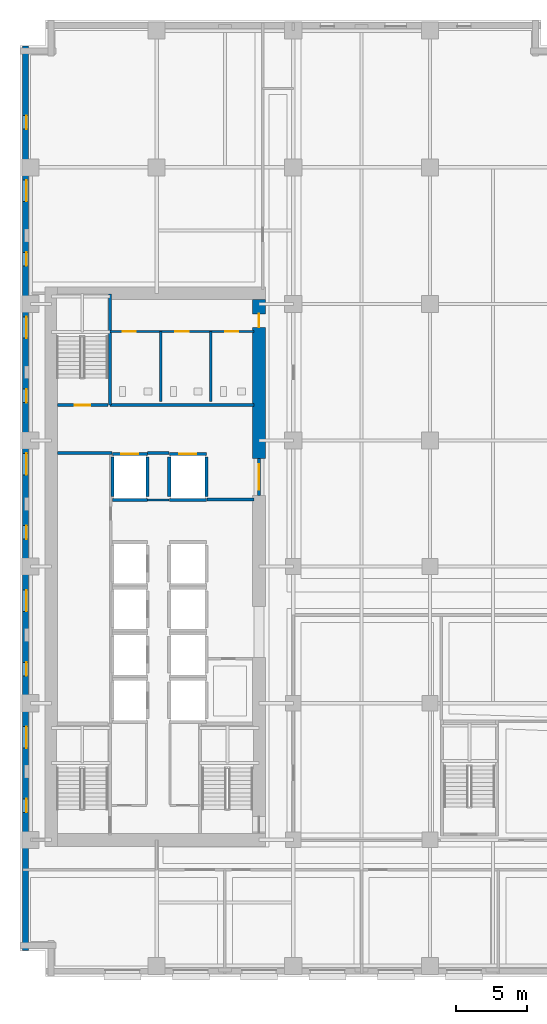
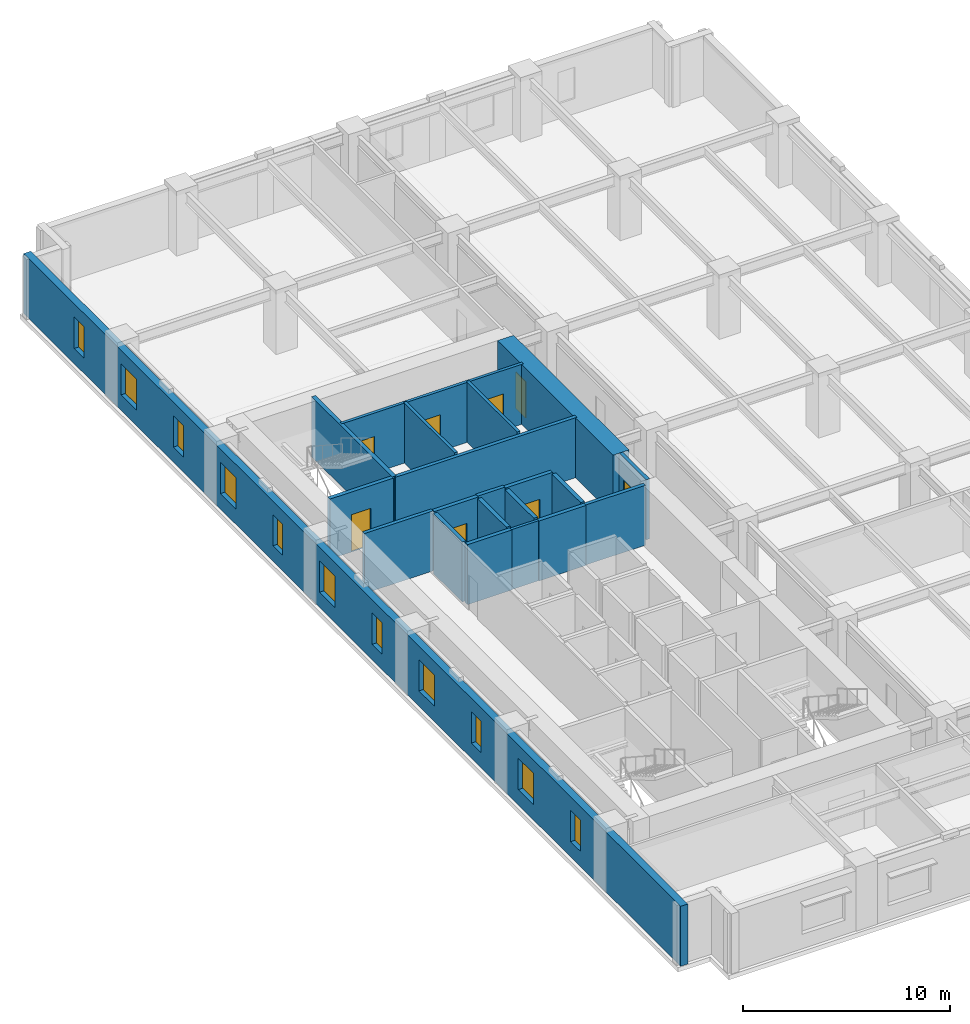
# One storey, part 6 of 14: 21 walls, 11 windows, 8 doors, 19 openings.
"""IFC4 building model written with IfcOpenShell, lengths in metres."""

from ifc_helpers import new_model, si_unit, direction, frame, frame_2d, origin, place, context, subcontext, project, spatial, rectangle, extrude, material, layer, layer_set, type_object, element, fill, save


model = new_model("IFC4")

# Units and contexts
model_context = context("Model", 3, precision=1e-05, world=origin(), true_north=direction((0.0, 1.0)))
body_context = subcontext(model_context, "Body", "Model", "MODEL_VIEW")
ifc_project = project(units=[si_unit("LENGTHUNIT", "METRE"), si_unit("AREAUNIT", "SQUARE_METRE"), si_unit("VOLUMEUNIT", "CUBIC_METRE"), si_unit("PLANEANGLEUNIT", "RADIAN"), si_unit("MASSUNIT", "GRAM", prefix="KILO")], contexts=[model_context])

# Site, building, storey
site_placement = place(None, origin())
site = spatial("IfcSite", under=ifc_project, at=site_placement, CompositionType="ELEMENT")
building_placement = place(site_placement, origin())
building = spatial("IfcBuilding", under=site, at=building_placement, Name="Norrvale University Quadrangle", CompositionType="ELEMENT")
storey_placement = place(building_placement, frame((0.0, 0.0, 28.0)))
storey = spatial("IfcBuildingStorey", under=building, at=storey_placement, Name="L06", CompositionType="ELEMENT", Elevation=28.0)

# Wall, opening, door
ifc_material_1 = material(Name="Concrete C80/95", Category="concrete")
ifc_layer_1 = layer(ifc_material_1, 0.89990234375, Name="Concrete C80/95")
ifc_layer_set_1 = layer_set([ifc_layer_1], Name="Concrete C80/95")
wall_type_1 = type_object("IfcWallType", Name="Wall Core 900", PredefinedType="SHEAR", material=ifc_layer_set_1)
wall_1_placement = place(storey_placement, frame((16.800048828125, 36.39990234375, 0.0), z_axis=(0.0, 0.0, 1.0), x_axis=(0.0, 1.0, 0.0)))
wall_1 = element("IfcWall", 1, at=wall_1_placement, inside=storey, type_object=wall_type_1, Name="Tower Core Shear Wall L06-E3", PredefinedType="SHEAR", context=body_context, shape_type="SweptSolid", body=[
    extrude(rectangle(XDim=11.150146484375, YDim=0.89990234375, at=frame_2d((5.5751953125, 0.0))), origin(), (0.0, 0.0, 1.0), 3.5400390625),
])
opening_1_placement = place(wall_1_placement, frame((9.199951171875, 0.0, 0.0)))
opening_1 = element("IfcOpeningElement", 2, at=opening_1_placement, cuts=wall_1, Name="Opening D07", PredefinedType="OPENING", context=body_context, shape_type="SweptSolid", body=[
    extrude(rectangle(XDim=0.949951171875, YDim=2.14990234375, at=frame_2d((0.47509765625, 1.074951171875))), frame((0.0, 0.4619140625, 0.0), z_axis=(0.0, -1.0, 0.0), x_axis=(1.0, 0.0, 0.0)), (0.0, 0.0, 1.0), 0.923828125),
])
ifc_material_2 = material(Name="Solid-Core Maple Door", Category="wood")
door_type_1 = type_object("IfcDoorType", Name="Door Office 950x2150", OperationType="NOTDEFINED", PredefinedType="DOOR", material=ifc_material_2)
door_1_placement = place(opening_1_placement, origin())
door_1 = element("IfcDoor", 3, at=door_1_placement, inside=storey, type_object=door_type_1, Name="Door Office 950x2150 DR-L06-NECORR", OperationType="SINGLE_SWING_LEFT", OverallHeight=2.14990234375, OverallWidth=0.949951171875, PredefinedType="DOOR", context=body_context, shape_type="SweptSolid", body=[
    extrude(rectangle(XDim=0.949951171875, YDim=2.14990234375, at=frame_2d((0.47509765625, 1.074951171875))), frame((0.0, 0.02490234375, 0.0), z_axis=(0.0, -1.0, 0.0), x_axis=(1.0, 0.0, 0.0)), (0.0, 0.0, 1.0), 0.050048828125),
])
fill(opening_1, door_1)

# Wall
ifc_material_3 = material(Name="Fire-Rated Gypsum Stud Partition")
ifc_layer_2 = layer(ifc_material_3, 0.14990234375, Name="Fire-Rated Gypsum Stud Partition")
ifc_layer_set_2 = layer_set([ifc_layer_2], Name="Fire-Rated Gypsum Stud Partition")
wall_type_2 = type_object("IfcWallType", Name="Wall Gypsum Corridor 150", PredefinedType="PARTITIONING", material=ifc_layer_set_2)
wall_2_placement = place(storey_placement, frame((8.965087890625, 33.489990234375, 0.0), z_axis=(0.0, 0.0, 1.0), x_axis=(1.0, 0.0, 0.0)))
element("IfcWall", 4, at=wall_2_placement, inside=storey, type_object=wall_type_2, Name="Interior Partition WL-L06-LL3", PredefinedType="PARTITIONING", context=body_context, shape_type="SweptSolid", body=[
    extrude(rectangle(XDim=1.52001953125, YDim=0.14990234375, at=frame_2d((0.760009765625, 0.0))), origin(), (0.0, 0.0, 1.0), 3.5400390625),
])

# Wall, openings, doors
ifc_material_4 = material(Name="Sanitary Chase Gypsum Partition")
ifc_layer_3 = layer(ifc_material_4, 0.1650390625, Name="Sanitary Chase Gypsum Partition")
ifc_layer_set_3 = layer_set([ifc_layer_3], Name="Sanitary Chase Gypsum Partition")
wall_type_3 = type_object("IfcWallType", Name="Wall Gypsum Sanitary 165", PredefinedType="PLUMBINGWALL", material=ifc_layer_set_3)
wall_3_placement = place(storey_placement, frame((6.320068359375, 45.320068359375, 0.0), z_axis=(0.0, 0.0, 1.0), x_axis=(1.0, 0.0, 0.0)))
wall_3 = element("IfcWall", 5, at=wall_3_placement, inside=storey, type_object=wall_type_3, Name="Interior Partition WL-L06-WCN", PredefinedType="PLUMBINGWALL", context=body_context, shape_type="SweptSolid", body=[
    extrude(rectangle(XDim=10.1298828125, YDim=0.1650390625, at=frame_2d((5.06494140625, 0.0))), origin(), (0.0, 0.0, 1.0), 3.5400390625),
])
opening_2_placement = place(wall_3_placement, frame((0.89990234375, 0.0, 0.0)))
opening_2 = element("IfcOpeningElement", 6, at=opening_2_placement, cuts=wall_3, Name="Opening D08", PredefinedType="OPENING", context=body_context, shape_type="SweptSolid", body=[
    extrude(rectangle(XDim=0.919921875, YDim=2.14990234375, at=frame_2d((0.4599609375, 1.074951171875))), frame((0.0, 0.094482421875, 0.0), z_axis=(0.0, -1.0, 0.0), x_axis=(1.0, 0.0, 0.0)), (0.0, 0.0, 1.0), 0.18896484375),
])
opening_3_placement = place(wall_3_placement, frame((4.60009765625, 0.0, 0.0)))
opening_3 = element("IfcOpeningElement", 7, at=opening_3_placement, cuts=wall_3, Name="Opening D08", PredefinedType="OPENING", context=body_context, shape_type="SweptSolid", body=[
    extrude(rectangle(XDim=0.919921875, YDim=2.14990234375, at=frame_2d((0.4599609375, 1.074951171875))), frame((0.0, 0.094482421875, 0.0), z_axis=(0.0, -1.0, 0.0), x_axis=(1.0, 0.0, 0.0)), (0.0, 0.0, 1.0), 0.18896484375),
])
opening_4_placement = place(wall_3_placement, frame((8.10009765625, 0.0, 0.0)))
opening_4 = element("IfcOpeningElement", 8, at=opening_4_placement, cuts=wall_3, Name="Opening D08", PredefinedType="OPENING", context=body_context, shape_type="SweptSolid", body=[
    extrude(rectangle(XDim=0.919921875, YDim=2.14990234375, at=frame_2d((0.4599609375, 1.074951171875))), frame((0.0, 0.094482421875, 0.0), z_axis=(0.0, -1.0, 0.0), x_axis=(1.0, 0.0, 0.0)), (0.0, 0.0, 1.0), 0.18896484375),
])
ifc_material_5 = material(Name="Laminate Washroom Door", Category="wood")
door_type_2 = type_object("IfcDoorType", Name="Door Washroom 920x2150", OperationType="NOTDEFINED", PredefinedType="DOOR", material=ifc_material_5)
door_2_placement = place(opening_2_placement, origin())
door_2 = element("IfcDoor", 9, at=door_2_placement, inside=storey, type_object=door_type_2, Name="Door Washroom 920x2150 DR-L06-WC1", OperationType="SINGLE_SWING_LEFT", OverallHeight=2.14990234375, OverallWidth=0.919921875, PredefinedType="DOOR", context=body_context, shape_type="SweptSolid", body=[
    extrude(rectangle(XDim=0.919921875, YDim=2.14990234375, at=frame_2d((0.4599609375, 1.074951171875))), frame((0.0, 0.02490234375, 0.0), z_axis=(0.0, -1.0, 0.0), x_axis=(1.0, 0.0, 0.0)), (0.0, 0.0, 1.0), 0.050048828125),
])
fill(opening_2, door_2)
door_3_placement = place(opening_3_placement, origin())
door_3 = element("IfcDoor", 10, at=door_3_placement, inside=storey, type_object=door_type_2, Name="Door Washroom 920x2150 DR-L06-WC2", OperationType="SINGLE_SWING_RIGHT", OverallHeight=2.14990234375, OverallWidth=0.919921875, PredefinedType="DOOR", context=body_context, shape_type="SweptSolid", body=[
    extrude(rectangle(XDim=0.919921875, YDim=2.14990234375, at=frame_2d((0.4599609375, 1.074951171875))), frame((0.0, 0.02490234375, 0.0), z_axis=(0.0, -1.0, 0.0), x_axis=(1.0, 0.0, 0.0)), (0.0, 0.0, 1.0), 0.050048828125),
])
fill(opening_3, door_3)
door_4_placement = place(opening_4_placement, origin())
door_4 = element("IfcDoor", 11, at=door_4_placement, inside=storey, type_object=door_type_2, Name="Door Washroom 920x2150 DR-L06-WC3", OperationType="SINGLE_SWING_LEFT", OverallHeight=2.14990234375, OverallWidth=0.919921875, PredefinedType="DOOR", context=body_context, shape_type="SweptSolid", body=[
    extrude(rectangle(XDim=0.919921875, YDim=2.14990234375, at=frame_2d((0.4599609375, 1.074951171875))), frame((0.0, 0.02490234375, 0.0), z_axis=(0.0, -1.0, 0.0), x_axis=(1.0, 0.0, 0.0)), (0.0, 0.0, 1.0), 0.050048828125),
])
fill(opening_4, door_4)

# Walls
for number, where, z_axis, x_axis, name in (
    (12, (9.89990234375, 40.39990234375, 0.0), (0.0, 0.0, 1.0), (0.0, 1.0, 0.0), "Interior Partition WL-L06-WCM1"),
    (13, (13.39990234375, 40.39990234375, 0.0), (0.0, 0.0, 1.0), (0.0, 1.0, 0.0), "Interior Partition WL-L06-WCM2"),
):
    element("IfcWall", number, at=place(storey_placement, frame(where, z_axis=z_axis, x_axis=x_axis)), inside=storey, type_object=wall_type_3, Name=name, PredefinedType="PLUMBINGWALL", context=body_context, shape_type="SweptSolid", body=[
        extrude(rectangle(XDim=4.920166015625, YDim=0.1650390625, at=frame_2d((2.4599609375, 0.0))), origin(), (0.0, 0.0, 1.0), 3.5400390625),
    ])
ifc_material_6 = material(Name="Concrete Blockwork 20 MPa Rated Wall", Category="masonry")
ifc_layer_4 = layer(ifc_material_6, 0.199951171875, Name="Concrete Blockwork 20 MPa Rated Wall")
ifc_layer_set_4 = layer_set([ifc_layer_4], Name="Concrete Blockwork 20 MPa Rated Wall")
wall_type_4 = type_object("IfcWallType", Name="Wall Lobby 200", PredefinedType="SOLIDWALL", material=ifc_layer_set_4)
wall_4_placement = place(storey_placement, frame((2.64990234375, 36.780029296875, 0.0), z_axis=(0.0, 0.0, 1.0), x_axis=(1.0, 0.0, 0.0)))
element("IfcWall", 14, at=wall_4_placement, inside=storey, type_object=wall_type_4, Name="Interior Partition WL-L06-FF1", PredefinedType="SOLIDWALL", context=body_context, shape_type="SweptSolid", body=[
    extrude(rectangle(XDim=3.830078125, YDim=0.199951171875, at=frame_2d((1.9150390625, 0.0))), origin(), (0.0, 0.0, 1.0), 3.5400390625),
])
wall_5_placement = place(storey_placement, frame((8.969970703125, 36.780029296875, 0.0), z_axis=(0.0, 0.0, 1.0), x_axis=(1.0, 0.0, 0.0)))
element("IfcWall", 15, at=wall_5_placement, inside=storey, type_object=wall_type_4, Name="Interior Partition WL-L06-FF2", PredefinedType="SOLIDWALL", context=body_context, shape_type="SweptSolid", body=[
    extrude(rectangle(XDim=1.510009765625, YDim=0.199951171875, at=frame_2d((0.7548828125, 0.0))), origin(), (0.0, 0.0, 1.0), 3.5400390625),
])
wall_6_placement = place(storey_placement, frame((13.1201171875, 33.52001953125, 0.0), z_axis=(0.0, 0.0, 1.0), x_axis=(1.0, 0.0, 0.0)))
element("IfcWall", 16, at=wall_6_placement, inside=storey, type_object=wall_type_4, Name="Interior Partition WL-L06-FF3", PredefinedType="SOLIDWALL", context=body_context, shape_type="SweptSolid", body=[
    extrude(rectangle(XDim=3.329833984375, YDim=0.199951171875, at=frame_2d((1.6650390625, 0.0))), origin(), (0.0, 0.0, 1.0), 3.5400390625),
])
wall_7_placement = place(storey_placement, frame((6.320068359375, 40.139892578125, 0.0), z_axis=(0.0, 0.0, 1.0), x_axis=(1.0, 0.0, 0.0)))
element("IfcWall", 17, at=wall_7_placement, inside=storey, type_object=wall_type_4, Name="Interior Partition WL-L06-FF4", PredefinedType="SOLIDWALL", context=body_context, shape_type="SweptSolid", body=[
    extrude(rectangle(XDim=10.1298828125, YDim=0.199951171875, at=frame_2d((5.06494140625, 0.0))), origin(), (0.0, 0.0, 1.0), 3.5400390625),
])

# Wall, opening, door
wall_8_placement = place(storey_placement, frame((16.800048828125, 33.800048828125, 0.0), z_axis=(0.0, 0.0, 1.0), x_axis=(0.0, 1.0, 0.0)))
wall_8 = element("IfcWall", 18, at=wall_8_placement, inside=storey, type_object=wall_type_4, Name="Interior Partition WL-L06-FFP", PredefinedType="SOLIDWALL", context=body_context, shape_type="SweptSolid", body=[
    extrude(rectangle(XDim=2.599853515625, YDim=0.199951171875, at=frame_2d((1.2998046875, 0.0))), origin(), (0.0, 0.0, 1.0), 3.5400390625),
])
opening_5_placement = place(wall_8_placement, frame((0.39990234375, 0.0, 0.0)))
opening_5 = element("IfcOpeningElement", 19, at=opening_5_placement, cuts=wall_8, Name="Opening D03", PredefinedType="OPENING", context=body_context, shape_type="SweptSolid", body=[
    extrude(rectangle(XDim=1.800048828125, YDim=2.199951171875, at=frame_2d((0.89990234375, 1.10009765625))), frame((0.0, 0.112060546875, 0.0), z_axis=(0.0, -1.0, 0.0), x_axis=(1.0, 0.0, 0.0)), (0.0, 0.0, 1.0), 0.223876953125),
])
ifc_material_7 = material(Name="Hollow Steel 350W Fire Door", Category="steel")
door_type_3 = type_object("IfcDoorType", Name="Door Fire Lobby 1800x2200", OperationType="DOUBLE_DOOR_SINGLE_SWING", PredefinedType="DOOR", material=ifc_material_7)
door_5_placement = place(opening_5_placement, origin())
door_5 = element("IfcDoor", 20, at=door_5_placement, inside=storey, type_object=door_type_3, Name="Door Fire Lobby 1800x2200 DR-L06-FFP", OperationType="DOUBLE_DOOR_SINGLE_SWING", OverallHeight=2.199951171875, OverallWidth=1.800048828125, PredefinedType="DOOR", context=body_context, shape_type="SweptSolid", body=[
    extrude(rectangle(XDim=1.800048828125, YDim=2.199951171875, at=frame_2d((0.89990234375, 1.10009765625))), frame((0.0, 0.02490234375, 0.0), z_axis=(0.0, -1.0, 0.0), x_axis=(1.0, 0.0, 0.0)), (0.0, 0.0, 1.0), 0.050048828125),
])
fill(opening_5, door_5)

# Wall, openings, windows
ifc_material_8 = material(Name="Red Manganese Brick Masonry", Category="masonry")
ifc_layer_5 = layer(ifc_material_8, 0.39990234375, Name="Red Manganese Brick Masonry")
ifc_layer_set_5 = layer_set([ifc_layer_5], Name="Red Manganese Brick Masonry")
wall_type_5 = type_object("IfcWallType", Name="Wall Red Brick 400", PredefinedType="SOLIDWALL", material=ifc_layer_set_5)
wall_9_placement = place(storey_placement, frame((0.3798828125, 65.360107421875, 0.0), z_axis=(0.0, 0.0, 1.0), x_axis=(0.0, -1.0, 0.0)))
wall_9 = element("IfcWall", 21, at=wall_9_placement, inside=storey, type_object=wall_type_5, Name="Exterior Brick Facade Wall L06-14.1", PredefinedType="SOLIDWALL", context=body_context, shape_type="SweptSolid", body=[
    extrude(rectangle(XDim=63.52001953125, YDim=0.39990234375, at=frame_2d((31.760009765625, 0.0))), origin(), (0.0, 0.0, 1.0), 3.5400390625),
])
opening_6_placement = place(wall_9_placement, frame((4.885009765625, 0.0, 0.89990234375)))
opening_6 = element("IfcOpeningElement", 22, at=opening_6_placement, cuts=wall_9, Name="Opening W04", PredefinedType="OPENING", context=body_context, shape_type="SweptSolid", body=[
    extrude(rectangle(XDim=0.949951171875, YDim=1.85009765625, at=frame_2d((0.47509765625, 0.925048828125))), frame((0.0, 0.2119140625, 0.0), z_axis=(0.0, -1.0, 0.0), x_axis=(1.0, 0.0, 0.0)), (0.0, 0.0, 1.0), 0.423828125),
])
opening_7_placement = place(wall_9_placement, frame((9.409912109375, 0.0, 0.89990234375)))
opening_7 = element("IfcOpeningElement", 23, at=opening_7_placement, cuts=wall_9, Name="Opening W03", PredefinedType="OPENING", context=body_context, shape_type="SweptSolid", body=[
    extrude(rectangle(XDim=1.5, YDim=1.85009765625, at=frame_2d((0.75, 0.925048828125))), frame((0.0, 0.2119140625, 0.0), z_axis=(0.0, -1.0, 0.0), x_axis=(1.0, 0.0, 0.0)), (0.0, 0.0, 1.0), 0.423828125),
])
opening_8_placement = place(wall_9_placement, frame((14.485107421875, 0.0, 0.89990234375)))
opening_8 = element("IfcOpeningElement", 24, at=opening_8_placement, cuts=wall_9, Name="Opening W04", PredefinedType="OPENING", context=body_context, shape_type="SweptSolid", body=[
    extrude(rectangle(XDim=0.949951171875, YDim=1.85009765625, at=frame_2d((0.47509765625, 0.925048828125))), frame((0.0, 0.2119140625, 0.0), z_axis=(0.0, -1.0, 0.0), x_axis=(1.0, 0.0, 0.0)), (0.0, 0.0, 1.0), 0.423828125),
])
opening_9_placement = place(wall_9_placement, frame((19.010009765625, 0.0, 0.89990234375)))
opening_9 = element("IfcOpeningElement", 25, at=opening_9_placement, cuts=wall_9, Name="Opening W03", PredefinedType="OPENING", context=body_context, shape_type="SweptSolid", body=[
    extrude(rectangle(XDim=1.5, YDim=1.85009765625, at=frame_2d((0.75, 0.925048828125))), frame((0.0, 0.2119140625, 0.0), z_axis=(0.0, -1.0, 0.0), x_axis=(1.0, 0.0, 0.0)), (0.0, 0.0, 1.0), 0.423828125),
])
opening_10_placement = place(wall_9_placement, frame((24.0849609375, 0.0, 0.89990234375)))
opening_10 = element("IfcOpeningElement", 26, at=opening_10_placement, cuts=wall_9, Name="Opening W04", PredefinedType="OPENING", context=body_context, shape_type="SweptSolid", body=[
    extrude(rectangle(XDim=0.949951171875, YDim=1.85009765625, at=frame_2d((0.47509765625, 0.925048828125))), frame((0.0, 0.2119140625, 0.0), z_axis=(0.0, -1.0, 0.0), x_axis=(1.0, 0.0, 0.0)), (0.0, 0.0, 1.0), 0.423828125),
])
opening_11_placement = place(wall_9_placement, frame((28.610107421875, 0.0, 0.89990234375)))
opening_11 = element("IfcOpeningElement", 27, at=opening_11_placement, cuts=wall_9, Name="Opening W03", PredefinedType="OPENING", context=body_context, shape_type="SweptSolid", body=[
    extrude(rectangle(XDim=1.5, YDim=1.85009765625, at=frame_2d((0.75, 0.925048828125))), frame((0.0, 0.2119140625, 0.0), z_axis=(0.0, -1.0, 0.0), x_axis=(1.0, 0.0, 0.0)), (0.0, 0.0, 1.0), 0.423828125),
])
opening_12_placement = place(wall_9_placement, frame((33.68505859375, 0.0, 0.89990234375)))
opening_12 = element("IfcOpeningElement", 28, at=opening_12_placement, cuts=wall_9, Name="Opening W04", PredefinedType="OPENING", context=body_context, shape_type="SweptSolid", body=[
    extrude(rectangle(XDim=0.949951171875, YDim=1.85009765625, at=frame_2d((0.47509765625, 0.925048828125))), frame((0.0, 0.2119140625, 0.0), z_axis=(0.0, -1.0, 0.0), x_axis=(1.0, 0.0, 0.0)), (0.0, 0.0, 1.0), 0.423828125),
])
opening_13_placement = place(wall_9_placement, frame((38.2099609375, 0.0, 0.89990234375)))
opening_13 = element("IfcOpeningElement", 29, at=opening_13_placement, cuts=wall_9, Name="Opening W03", PredefinedType="OPENING", context=body_context, shape_type="SweptSolid", body=[
    extrude(rectangle(XDim=1.5, YDim=1.85009765625, at=frame_2d((0.75, 0.925048828125))), frame((0.0, 0.2119140625, 0.0), z_axis=(0.0, -1.0, 0.0), x_axis=(1.0, 0.0, 0.0)), (0.0, 0.0, 1.0), 0.423828125),
])
opening_14_placement = place(wall_9_placement, frame((43.284912109375, 0.0, 0.89990234375)))
opening_14 = element("IfcOpeningElement", 30, at=opening_14_placement, cuts=wall_9, Name="Opening W04", PredefinedType="OPENING", context=body_context, shape_type="SweptSolid", body=[
    extrude(rectangle(XDim=0.949951171875, YDim=1.85009765625, at=frame_2d((0.47509765625, 0.925048828125))), frame((0.0, 0.2119140625, 0.0), z_axis=(0.0, -1.0, 0.0), x_axis=(1.0, 0.0, 0.0)), (0.0, 0.0, 1.0), 0.423828125),
])
opening_15_placement = place(wall_9_placement, frame((47.81005859375, 0.0, 0.89990234375)))
opening_15 = element("IfcOpeningElement", 31, at=opening_15_placement, cuts=wall_9, Name="Opening W03", PredefinedType="OPENING", context=body_context, shape_type="SweptSolid", body=[
    extrude(rectangle(XDim=1.5, YDim=1.85009765625, at=frame_2d((0.75, 0.925048828125))), frame((0.0, 0.2119140625, 0.0), z_axis=(0.0, -1.0, 0.0), x_axis=(1.0, 0.0, 0.0)), (0.0, 0.0, 1.0), 0.423828125),
])
opening_16_placement = place(wall_9_placement, frame((52.885009765625, 0.0, 0.89990234375)))
opening_16 = element("IfcOpeningElement", 32, at=opening_16_placement, cuts=wall_9, Name="Opening W04", PredefinedType="OPENING", context=body_context, shape_type="SweptSolid", body=[
    extrude(rectangle(XDim=0.949951171875, YDim=1.85009765625, at=frame_2d((0.47509765625, 0.925048828125))), frame((0.0, 0.2119140625, 0.0), z_axis=(0.0, -1.0, 0.0), x_axis=(1.0, 0.0, 0.0)), (0.0, 0.0, 1.0), 0.423828125),
])
ifc_material_9 = material(Name="Triple Low-E Argon Glazing", Category="glass")
window_type_1 = type_object("IfcWindowType", Name="Window Narrow Pier 950x2300", PartitioningType="SINGLE_PANEL", PredefinedType="WINDOW", material=ifc_material_9)
window_1_placement = place(opening_6_placement, origin())
window_1 = element("IfcWindow", 33, at=window_1_placement, inside=storey, type_object=window_type_1, Name="Window Narrow Pier 950x2300 WIN-L06-E14-1-01", OverallHeight=1.85009765625, OverallWidth=0.949951171875, PartitioningType="SINGLE_PANEL", PredefinedType="WINDOW", context=body_context, shape_type="SweptSolid", body=[
    extrude(rectangle(XDim=0.949951171875, YDim=1.85009765625, at=frame_2d((0.47509765625, 0.925048828125))), frame((0.0, 0.110107421875, 0.0), z_axis=(0.0, -1.0, 0.0), x_axis=(1.0, 0.0, 0.0)), (0.0, 0.0, 1.0), 0.06005859375),
])
fill(opening_6, window_1)
window_2_placement = place(opening_8_placement, origin())
window_2 = element("IfcWindow", 34, at=window_2_placement, inside=storey, type_object=window_type_1, Name="Window Narrow Pier 950x2300 WIN-L06-E14-1-03", OverallHeight=1.85009765625, OverallWidth=0.949951171875, PartitioningType="SINGLE_PANEL", PredefinedType="WINDOW", context=body_context, shape_type="SweptSolid", body=[
    extrude(rectangle(XDim=0.949951171875, YDim=1.85009765625, at=frame_2d((0.47509765625, 0.925048828125))), frame((0.0, 0.110107421875, 0.0), z_axis=(0.0, -1.0, 0.0), x_axis=(1.0, 0.0, 0.0)), (0.0, 0.0, 1.0), 0.06005859375),
])
fill(opening_8, window_2)
window_3_placement = place(opening_10_placement, origin())
window_3 = element("IfcWindow", 35, at=window_3_placement, inside=storey, type_object=window_type_1, Name="Window Narrow Pier 950x2300 WIN-L06-E14-1-05", OverallHeight=1.85009765625, OverallWidth=0.949951171875, PartitioningType="SINGLE_PANEL", PredefinedType="WINDOW", context=body_context, shape_type="SweptSolid", body=[
    extrude(rectangle(XDim=0.949951171875, YDim=1.85009765625, at=frame_2d((0.47509765625, 0.925048828125))), frame((0.0, 0.110107421875, 0.0), z_axis=(0.0, -1.0, 0.0), x_axis=(1.0, 0.0, 0.0)), (0.0, 0.0, 1.0), 0.06005859375),
])
fill(opening_10, window_3)
window_4_placement = place(opening_12_placement, origin())
window_4 = element("IfcWindow", 36, at=window_4_placement, inside=storey, type_object=window_type_1, Name="Window Narrow Pier 950x2300 WIN-L06-E14-1-07", OverallHeight=1.85009765625, OverallWidth=0.949951171875, PartitioningType="SINGLE_PANEL", PredefinedType="WINDOW", context=body_context, shape_type="SweptSolid", body=[
    extrude(rectangle(XDim=0.949951171875, YDim=1.85009765625, at=frame_2d((0.47509765625, 0.925048828125))), frame((0.0, 0.110107421875, 0.0), z_axis=(0.0, -1.0, 0.0), x_axis=(1.0, 0.0, 0.0)), (0.0, 0.0, 1.0), 0.06005859375),
])
fill(opening_12, window_4)
window_5_placement = place(opening_14_placement, origin())
window_5 = element("IfcWindow", 37, at=window_5_placement, inside=storey, type_object=window_type_1, Name="Window Narrow Pier 950x2300 WIN-L06-E14-1-09", OverallHeight=1.85009765625, OverallWidth=0.949951171875, PartitioningType="SINGLE_PANEL", PredefinedType="WINDOW", context=body_context, shape_type="SweptSolid", body=[
    extrude(rectangle(XDim=0.949951171875, YDim=1.85009765625, at=frame_2d((0.47509765625, 0.925048828125))), frame((0.0, 0.110107421875, 0.0), z_axis=(0.0, -1.0, 0.0), x_axis=(1.0, 0.0, 0.0)), (0.0, 0.0, 1.0), 0.06005859375),
])
fill(opening_14, window_5)
window_6_placement = place(opening_16_placement, origin())
window_6 = element("IfcWindow", 38, at=window_6_placement, inside=storey, type_object=window_type_1, Name="Window Narrow Pier 950x2300 WIN-L06-E14-1-11", OverallHeight=1.85009765625, OverallWidth=0.949951171875, PartitioningType="SINGLE_PANEL", PredefinedType="WINDOW", context=body_context, shape_type="SweptSolid", body=[
    extrude(rectangle(XDim=0.949951171875, YDim=1.85009765625, at=frame_2d((0.47509765625, 0.925048828125))), frame((0.0, 0.110107421875, 0.0), z_axis=(0.0, -1.0, 0.0), x_axis=(1.0, 0.0, 0.0)), (0.0, 0.0, 1.0), 0.06005859375),
])
fill(opening_16, window_6)
window_type_2 = type_object("IfcWindowType", Name="Window Studio 1500x2300", PartitioningType="DOUBLE_PANEL_VERTICAL", PredefinedType="WINDOW", material=ifc_material_9)
window_7_placement = place(opening_7_placement, origin())
window_7 = element("IfcWindow", 39, at=window_7_placement, inside=storey, type_object=window_type_2, Name="Window Studio 1500x2300 WIN-L06-E14-1-02", OverallHeight=1.85009765625, OverallWidth=1.5, PartitioningType="DOUBLE_PANEL_VERTICAL", PredefinedType="WINDOW", context=body_context, shape_type="SweptSolid", body=[
    extrude(rectangle(XDim=1.5, YDim=1.85009765625, at=frame_2d((0.75, 0.925048828125))), frame((0.0, 0.110107421875, 0.0), z_axis=(0.0, -1.0, 0.0), x_axis=(1.0, 0.0, 0.0)), (0.0, 0.0, 1.0), 0.06005859375),
])
fill(opening_7, window_7)
window_8_placement = place(opening_9_placement, origin())
window_8 = element("IfcWindow", 40, at=window_8_placement, inside=storey, type_object=window_type_2, Name="Window Studio 1500x2300 WIN-L06-E14-1-04", OverallHeight=1.85009765625, OverallWidth=1.5, PartitioningType="DOUBLE_PANEL_VERTICAL", PredefinedType="WINDOW", context=body_context, shape_type="SweptSolid", body=[
    extrude(rectangle(XDim=1.5, YDim=1.85009765625, at=frame_2d((0.75, 0.925048828125))), frame((0.0, 0.110107421875, 0.0), z_axis=(0.0, -1.0, 0.0), x_axis=(1.0, 0.0, 0.0)), (0.0, 0.0, 1.0), 0.06005859375),
])
fill(opening_9, window_8)
window_9_placement = place(opening_11_placement, origin())
window_9 = element("IfcWindow", 41, at=window_9_placement, inside=storey, type_object=window_type_2, Name="Window Studio 1500x2300 WIN-L06-E14-1-06", OverallHeight=1.85009765625, OverallWidth=1.5, PartitioningType="DOUBLE_PANEL_VERTICAL", PredefinedType="WINDOW", context=body_context, shape_type="SweptSolid", body=[
    extrude(rectangle(XDim=1.5, YDim=1.85009765625, at=frame_2d((0.75, 0.925048828125))), frame((0.0, 0.110107421875, 0.0), z_axis=(0.0, -1.0, 0.0), x_axis=(1.0, 0.0, 0.0)), (0.0, 0.0, 1.0), 0.06005859375),
])
fill(opening_11, window_9)
window_10_placement = place(opening_13_placement, origin())
window_10 = element("IfcWindow", 42, at=window_10_placement, inside=storey, type_object=window_type_2, Name="Window Studio 1500x2300 WIN-L06-E14-1-08", OverallHeight=1.85009765625, OverallWidth=1.5, PartitioningType="DOUBLE_PANEL_VERTICAL", PredefinedType="WINDOW", context=body_context, shape_type="SweptSolid", body=[
    extrude(rectangle(XDim=1.5, YDim=1.85009765625, at=frame_2d((0.75, 0.925048828125))), frame((0.0, 0.110107421875, 0.0), z_axis=(0.0, -1.0, 0.0), x_axis=(1.0, 0.0, 0.0)), (0.0, 0.0, 1.0), 0.06005859375),
])
fill(opening_13, window_10)
window_11_placement = place(opening_15_placement, origin())
window_11 = element("IfcWindow", 43, at=window_11_placement, inside=storey, type_object=window_type_2, Name="Window Studio 1500x2300 WIN-L06-E14-1-10", OverallHeight=1.85009765625, OverallWidth=1.5, PartitioningType="DOUBLE_PANEL_VERTICAL", PredefinedType="WINDOW", context=body_context, shape_type="SweptSolid", body=[
    extrude(rectangle(XDim=1.5, YDim=1.85009765625, at=frame_2d((0.75, 0.925048828125))), frame((0.0, 0.110107421875, 0.0), z_axis=(0.0, -1.0, 0.0), x_axis=(1.0, 0.0, 0.0)), (0.0, 0.0, 1.0), 0.06005859375),
])
fill(opening_15, window_11)

# Wall, opening, door
ifc_material_10 = material(Name="Concrete Blockwork 20 MPa Fire Shaft", Category="masonry")
ifc_layer_6 = layer(ifc_material_10, 0.219970703125, Name="Concrete Blockwork 20 MPa Fire Shaft")
ifc_layer_set_6 = layer_set([ifc_layer_6], Name="Concrete Blockwork 20 MPa Fire Shaft")
wall_type_6 = type_object("IfcWallType", Name="Wall Shaft 220", PredefinedType="SOLIDWALL", material=ifc_layer_set_6)
wall_10_placement = place(storey_placement, frame((2.64990234375, 40.139892578125, 0.0), z_axis=(0.0, 0.0, 1.0), x_axis=(1.0, 0.0, 0.0)))
wall_10 = element("IfcWall", 44, at=wall_10_placement, inside=storey, type_object=wall_type_6, Name="Stair ST-02 South Shaft Wall L06", PredefinedType="SOLIDWALL", context=body_context, shape_type="SweptSolid", body=[
    extrude(rectangle(XDim=3.550048828125, YDim=0.219970703125, at=frame_2d((1.77490234375, 0.0))), origin(), (0.0, 0.0, 1.0), 3.5400390625),
])
opening_17_placement = place(wall_10_placement, frame((1.199951171875, 0.0, 0.0)))
opening_17 = element("IfcOpeningElement", 45, at=opening_17_placement, cuts=wall_10, Name="Opening D02", PredefinedType="OPENING", context=body_context, shape_type="SweptSolid", body=[
    extrude(rectangle(XDim=1.10009765625, YDim=2.199951171875, at=frame_2d((0.550048828125, 1.10009765625))), frame((0.0, 0.1220703125, 0.0), z_axis=(0.0, -1.0, 0.0), x_axis=(1.0, 0.0, 0.0)), (0.0, 0.0, 1.0), 0.243896484375),
])
door_type_4 = type_object("IfcDoorType", Name="Door Stair Exit 1100x2200", OperationType="NOTDEFINED", PredefinedType="DOOR", material=ifc_material_7)
door_6_placement = place(opening_17_placement, origin())
door_6 = element("IfcDoor", 46, at=door_6_placement, inside=storey, type_object=door_type_4, Name="Door Stair Exit 1100x2200 DR-L06-ST02", OperationType="SINGLE_SWING_LEFT", OverallHeight=2.199951171875, OverallWidth=1.10009765625, PredefinedType="DOOR", context=body_context, shape_type="SweptSolid", body=[
    extrude(rectangle(XDim=1.10009765625, YDim=2.199951171875, at=frame_2d((0.550048828125, 1.10009765625))), frame((0.0, 0.02490234375, 0.0), z_axis=(0.0, -1.0, 0.0), x_axis=(1.0, 0.0, 0.0)), (0.0, 0.0, 1.0), 0.050048828125),
])
fill(opening_17, door_6)

# Walls
wall_11_placement = place(storey_placement, frame((6.31005859375, 40.139892578125, 0.0), z_axis=(0.0, 0.0, 1.0), x_axis=(0.0, 1.0, 0.0)))
element("IfcWall", 47, at=wall_11_placement, inside=storey, type_object=wall_type_6, Name="Stair ST-02 East Shaft Wall L06", PredefinedType="SOLIDWALL", context=body_context, shape_type="SweptSolid", body=[
    extrude(rectangle(XDim=7.81005859375, YDim=0.219970703125, at=frame_2d((3.905029296875, 0.0))), origin(), (0.0, 0.0, 1.0), 3.5400390625),
])
for number, where, z_axis, x_axis, name in (
    (48, (6.489990234375, 33.7099609375, 0.0), (0.0, 0.0, 1.0), (0.0, 1.0, 0.0), "Hoistway FFL-01 West Wall L06"),
    (49, (8.9599609375, 33.7099609375, 0.0), (0.0, 0.0, 1.0), (0.0, 1.0, 0.0), "Hoistway FFL-01 East Wall L06"),
):
    element("IfcWall", number, at=place(storey_placement, frame(where, z_axis=z_axis, x_axis=x_axis)), inside=storey, type_object=wall_type_6, Name=name, PredefinedType="SOLIDWALL", context=body_context, shape_type="SweptSolid", body=[
        extrude(rectangle(XDim=2.780029296875, YDim=0.219970703125, at=frame_2d((1.39013671875, 0.0))), origin(), (0.0, 0.0, 1.0), 3.5400390625),
    ])
wall_12_placement = place(storey_placement, frame((6.489990234375, 33.489990234375, 0.0), z_axis=(0.0, 0.0, 1.0), x_axis=(1.0, 0.0, 0.0)))
element("IfcWall", 50, at=wall_12_placement, inside=storey, type_object=wall_type_6, Name="Hoistway FFL-01 South Wall L06", PredefinedType="SOLIDWALL", context=body_context, shape_type="SweptSolid", body=[
    extrude(rectangle(XDim=2.469970703125, YDim=0.219970703125, at=frame_2d((1.23486328125, 0.0))), origin(), (0.0, 0.0, 1.0), 3.5400390625),
])

# Wall, opening, door
wall_13_placement = place(storey_placement, frame((6.489990234375, 36.7099609375, 0.0), z_axis=(0.0, 0.0, 1.0), x_axis=(1.0, 0.0, 0.0)))
wall_13 = element("IfcWall", 51, at=wall_13_placement, inside=storey, type_object=wall_type_6, Name="Hoistway FFL-01 North Wall L06", PredefinedType="SOLIDWALL", context=body_context, shape_type="SweptSolid", body=[
    extrude(rectangle(XDim=2.469970703125, YDim=0.219970703125, at=frame_2d((1.23486328125, 0.0))), origin(), (0.0, 0.0, 1.0), 3.5400390625),
])
opening_18_placement = place(wall_13_placement, frame((0.635009765625, 0.0, 0.0)))
opening_18 = element("IfcOpeningElement", 52, at=opening_18_placement, cuts=wall_13, Name="Opening LD2", PredefinedType="OPENING", context=body_context, shape_type="SweptSolid", body=[
    extrude(rectangle(XDim=1.199951171875, YDim=2.199951171875, at=frame_2d((0.60009765625, 1.10009765625))), frame((0.0, 0.1220703125, 0.0), z_axis=(0.0, -1.0, 0.0), x_axis=(1.0, 0.0, 0.0)), (0.0, 0.0, 1.0), 0.243896484375),
])
ifc_material_11 = material(Name="Stainless Steel 316L Firefighter Lift Door", Category="steel")
door_type_5 = type_object("IfcDoorType", Name="Door Fire Lift 1200x2200", OperationType="DOUBLE_DOOR_SLIDING", PredefinedType="DOOR", material=ifc_material_11)
door_7_placement = place(opening_18_placement, origin())
door_7 = element("IfcDoor", 53, at=door_7_placement, inside=storey, type_object=door_type_5, Name="Elevator Landing Door DR-L06-FFL-01", OperationType="DOUBLE_DOOR_SLIDING", OverallHeight=2.199951171875, OverallWidth=1.199951171875, PredefinedType="DOOR", context=body_context, shape_type="SweptSolid", body=[
    extrude(rectangle(XDim=1.199951171875, YDim=2.199951171875, at=frame_2d((0.60009765625, 1.10009765625))), frame((0.0, 0.02490234375, 0.0), z_axis=(0.0, -1.0, 0.0), x_axis=(1.0, 0.0, 0.0)), (0.0, 0.0, 1.0), 0.050048828125),
])
fill(opening_18, door_7)

# Walls
for number, where, z_axis, x_axis, name in (
    (54, (10.489990234375, 33.7099609375, 0.0), (0.0, 0.0, 1.0), (0.0, 1.0, 0.0), "Hoistway FFL-02 West Wall L06"),
    (55, (13.110107421875, 33.7099609375, 0.0), (0.0, 0.0, 1.0), (0.0, 1.0, 0.0), "Hoistway FFL-02 East Wall L06"),
):
    element("IfcWall", number, at=place(storey_placement, frame(where, z_axis=z_axis, x_axis=x_axis)), inside=storey, type_object=wall_type_6, Name=name, PredefinedType="SOLIDWALL", context=body_context, shape_type="SweptSolid", body=[
        extrude(rectangle(XDim=2.780029296875, YDim=0.219970703125, at=frame_2d((1.39013671875, 0.0))), origin(), (0.0, 0.0, 1.0), 3.5400390625),
    ])
wall_14_placement = place(storey_placement, frame((10.489990234375, 33.489990234375, 0.0), z_axis=(0.0, 0.0, 1.0), x_axis=(1.0, 0.0, 0.0)))
element("IfcWall", 56, at=wall_14_placement, inside=storey, type_object=wall_type_6, Name="Hoistway FFL-02 South Wall L06", PredefinedType="SOLIDWALL", context=body_context, shape_type="SweptSolid", body=[
    extrude(rectangle(XDim=2.6201171875, YDim=0.219970703125, at=frame_2d((1.31005859375, 0.0))), origin(), (0.0, 0.0, 1.0), 3.5400390625),
])

# Wall, opening, door
wall_15_placement = place(storey_placement, frame((10.489990234375, 36.7099609375, 0.0), z_axis=(0.0, 0.0, 1.0), x_axis=(1.0, 0.0, 0.0)))
wall_15 = element("IfcWall", 57, at=wall_15_placement, inside=storey, type_object=wall_type_6, Name="Hoistway FFL-02 North Wall L06", PredefinedType="SOLIDWALL", context=body_context, shape_type="SweptSolid", body=[
    extrude(rectangle(XDim=2.6201171875, YDim=0.219970703125, at=frame_2d((1.31005859375, 0.0))), origin(), (0.0, 0.0, 1.0), 3.5400390625),
])
opening_19_placement = place(wall_15_placement, frame((0.7099609375, 0.0, 0.0)))
opening_19 = element("IfcOpeningElement", 58, at=opening_19_placement, cuts=wall_15, Name="Opening LD2", PredefinedType="OPENING", context=body_context, shape_type="SweptSolid", body=[
    extrude(rectangle(XDim=1.199951171875, YDim=2.199951171875, at=frame_2d((0.60009765625, 1.10009765625))), frame((0.0, 0.1220703125, 0.0), z_axis=(0.0, -1.0, 0.0), x_axis=(1.0, 0.0, 0.0)), (0.0, 0.0, 1.0), 0.243896484375),
])
door_8_placement = place(opening_19_placement, origin())
door_8 = element("IfcDoor", 59, at=door_8_placement, inside=storey, type_object=door_type_5, Name="Elevator Landing Door DR-L06-FFL-02", OperationType="DOUBLE_DOOR_SLIDING", OverallHeight=2.199951171875, OverallWidth=1.199951171875, PredefinedType="DOOR", context=body_context, shape_type="SweptSolid", body=[
    extrude(rectangle(XDim=1.199951171875, YDim=2.199951171875, at=frame_2d((0.60009765625, 1.10009765625))), frame((0.0, 0.02490234375, 0.0), z_axis=(0.0, -1.0, 0.0), x_axis=(1.0, 0.0, 0.0)), (0.0, 0.0, 1.0), 0.050048828125),
])
fill(opening_19, door_8)

save(model, "model.ifc")
